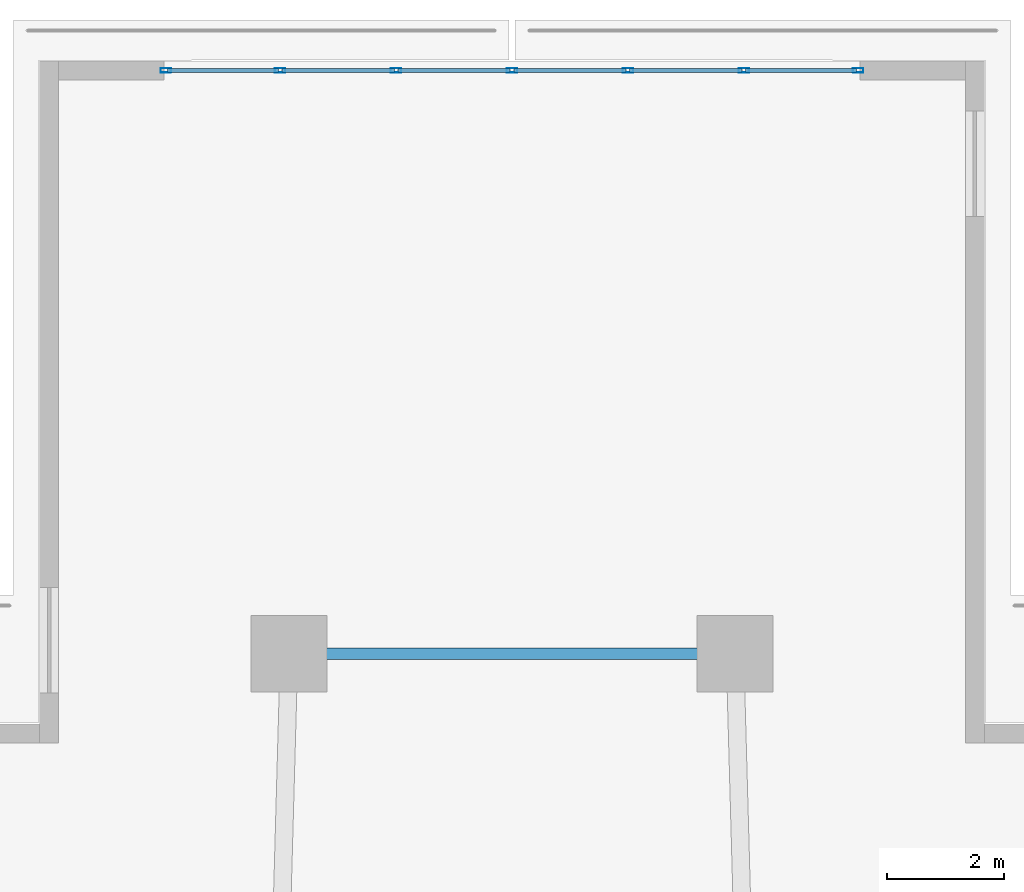
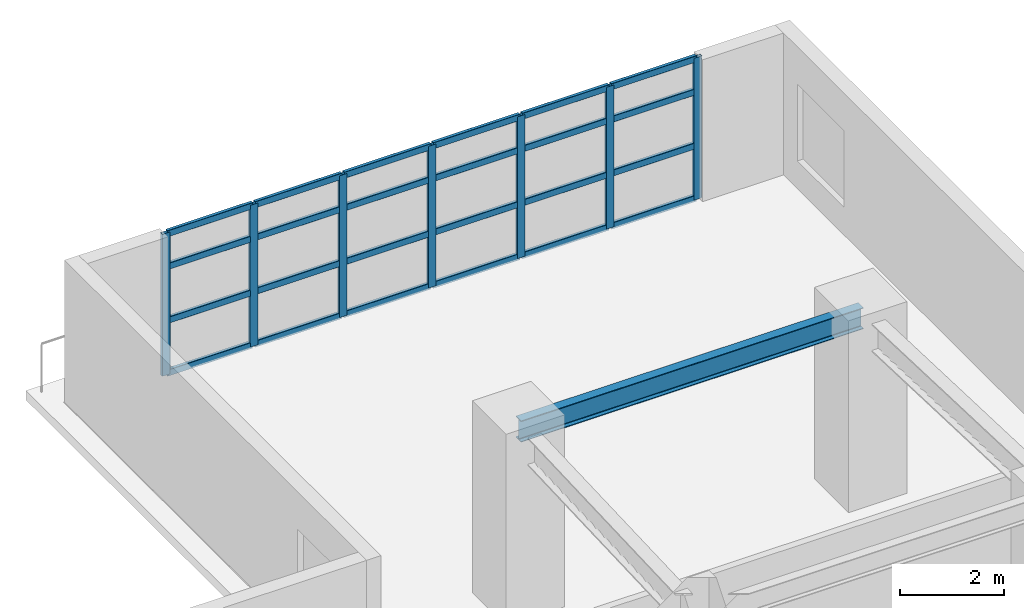
# One storey, part 12 of 24: 31 members, 1 beam, 1 element without a shape of its own.
"""IFC4 building model written with IfcOpenShell, lengths in metres."""

from ifc_helpers import new_model, si_unit, direction, frame, origin, origin_2d, place, context, subcontext, project, spatial, hollow_rectangle, i_section, extrude, material, layer, layer_set, material_profile, profile_set, type_object, element, aggregate, save


model = new_model("IFC4")

# Units and contexts
model_context = context("Model", 3, precision=1e-05, world=origin(), true_north=direction((0.0, 1.0)))
body_context = subcontext(model_context, "Body", "Model", "MODEL_VIEW")
ifc_project = project(units=[si_unit("LENGTHUNIT", "METRE"), si_unit("AREAUNIT", "SQUARE_METRE"), si_unit("VOLUMEUNIT", "CUBIC_METRE"), si_unit("PLANEANGLEUNIT", "RADIAN"), si_unit("MASSUNIT", "GRAM", prefix="KILO")], contexts=[model_context])

# Site, building, storey
site_placement = place(None, origin())
site = spatial("IfcSite", under=ifc_project, at=site_placement, CompositionType="ELEMENT")
building_placement = place(site_placement, origin())
building = spatial("IfcBuilding", under=site, at=building_placement, Name="Qingluan Cross Belvedere", CompositionType="ELEMENT")
storey_placement = place(building_placement, frame((0.0, 0.0, 14.699951171875)))
storey = spatial("IfcBuildingStorey", under=building, at=storey_placement, Name="L04", CompositionType="ELEMENT", Elevation=14.699951171875)

# Curtain wall, members
ifc_material_1 = material(Name="Thermally broken aluminium and Low-E glass", Category="aluminium")
ifc_layer = layer(ifc_material_1, 0.219970703125, Name="UnitisedCW_BallroomFoyer")
ifc_layer_set = layer_set([ifc_layer], Name="Thermally broken aluminium and Low-E glass")
curtain_wall_type = type_object("IfcCurtainWallType", Name="UnitisedCW_BallroomFoyer", PredefinedType="USERDEFINED", material=ifc_layer_set)
curtain_wall_placement = place(storey_placement, origin())
curtain_wall = element("IfcCurtainWall", 1, at=curtain_wall_placement, inside=storey, type_object=curtain_wall_type, Name="UnitisedCW_BallroomFoyer run env:cw:L04:N", ObjectType="UNITISED CURTAIN WALL", PredefinedType="USERDEFINED")
ifc_material_2 = material(Name="Aluminium alloy 6063-T6", Category="aluminium")
ifc_material_profile_1 = material_profile(ifc_material_2, hollow_rectangle(XDim=0.074951171875, YDim=0.179931640625, WallThickness=0.00390625, InnerFilletRadius=0.00390625, OuterFilletRadius=0.008056640625, at=origin_2d()), Name="CWM180x75x4")
ifc_profile_set_1 = profile_set([ifc_material_profile_1], Name="Aluminium alloy 6063-T6")
member_type_1 = type_object("IfcMemberType", Name="CWMullion_180", PredefinedType="MULLION", material=ifc_profile_set_1)
member_1_placement = place(storey_placement, frame((-5.89990234375, 36.93994140625, 0.0), z_axis=(0.0, 0.0, 1.0), x_axis=(0.0, 1.0, 0.0)))
member_1 = element("IfcMember", 2, at=member_1_placement, type_object=member_type_1, Name="CW-P2 mullion 1", PredefinedType="MULLION", context=body_context, shape_type="SweptSolid", body=[
    extrude(hollow_rectangle(XDim=0.074951171875, YDim=0.179931640625, WallThickness=0.00390625, InnerFilletRadius=0.00390625, OuterFilletRadius=0.008056640625, at=origin_2d()), origin(), (0.0, 0.0, 1.0), 3.330078125),
])
member_2_placement = place(storey_placement, frame((-3.953369140625, 36.93994140625, 0.0), z_axis=(0.0, 0.0, 1.0), x_axis=(0.0, 1.0, 0.0)))
member_2 = element("IfcMember", 3, at=member_2_placement, type_object=member_type_1, Name="CW-P2 mullion 2", PredefinedType="MULLION", context=body_context, shape_type="SweptSolid", body=[
    extrude(hollow_rectangle(XDim=0.074951171875, YDim=0.179931640625, WallThickness=0.00390625, InnerFilletRadius=0.00390625, OuterFilletRadius=0.008056640625, at=origin_2d()), origin(), (0.0, 0.0, 1.0), 3.330078125),
])
member_3_placement = place(storey_placement, frame((-1.9765625, 36.93994140625, 0.0), z_axis=(0.0, 0.0, 1.0), x_axis=(0.0, 1.0, 0.0)))
member_3 = element("IfcMember", 4, at=member_3_placement, type_object=member_type_1, Name="CW-P2 mullion 3", PredefinedType="MULLION", context=body_context, shape_type="SweptSolid", body=[
    extrude(hollow_rectangle(XDim=0.074951171875, YDim=0.179931640625, WallThickness=0.00390625, InnerFilletRadius=0.00390625, OuterFilletRadius=0.008056640625, at=origin_2d()), origin(), (0.0, 0.0, 1.0), 3.330078125),
])
member_4_placement = place(storey_placement, frame((0.0, 36.93994140625, 0.0), z_axis=(0.0, 0.0, 1.0), x_axis=(0.0, 1.0, 0.0)))
member_4 = element("IfcMember", 5, at=member_4_placement, type_object=member_type_1, Name="CW-P2 mullion 4", PredefinedType="MULLION", context=body_context, shape_type="SweptSolid", body=[
    extrude(hollow_rectangle(XDim=0.074951171875, YDim=0.179931640625, WallThickness=0.00390625, InnerFilletRadius=0.00390625, OuterFilletRadius=0.008056640625, at=origin_2d()), origin(), (0.0, 0.0, 1.0), 3.330078125),
])
member_5_placement = place(storey_placement, frame((1.9765625, 36.93994140625, 0.0), z_axis=(0.0, 0.0, 1.0), x_axis=(0.0, 1.0, 0.0)))
member_5 = element("IfcMember", 6, at=member_5_placement, type_object=member_type_1, Name="CW-P2 mullion 5", PredefinedType="MULLION", context=body_context, shape_type="SweptSolid", body=[
    extrude(hollow_rectangle(XDim=0.074951171875, YDim=0.179931640625, WallThickness=0.00390625, InnerFilletRadius=0.00390625, OuterFilletRadius=0.008056640625, at=origin_2d()), origin(), (0.0, 0.0, 1.0), 3.330078125),
])
member_6_placement = place(storey_placement, frame((3.953369140625, 36.93994140625, 0.0), z_axis=(0.0, 0.0, 1.0), x_axis=(0.0, 1.0, 0.0)))
member_6 = element("IfcMember", 7, at=member_6_placement, type_object=member_type_1, Name="CW-P2 mullion 6", PredefinedType="MULLION", context=body_context, shape_type="SweptSolid", body=[
    extrude(hollow_rectangle(XDim=0.074951171875, YDim=0.179931640625, WallThickness=0.00390625, InnerFilletRadius=0.00390625, OuterFilletRadius=0.008056640625, at=origin_2d()), origin(), (0.0, 0.0, 1.0), 3.330078125),
])
member_7_placement = place(storey_placement, frame((5.89990234375, 36.93994140625, 0.0), z_axis=(0.0, 0.0, 1.0), x_axis=(0.0, 1.0, 0.0)))
member_7 = element("IfcMember", 8, at=member_7_placement, type_object=member_type_1, Name="CW-P2 mullion 7", PredefinedType="MULLION", context=body_context, shape_type="SweptSolid", body=[
    extrude(hollow_rectangle(XDim=0.074951171875, YDim=0.179931640625, WallThickness=0.00390625, InnerFilletRadius=0.00390625, OuterFilletRadius=0.008056640625, at=origin_2d()), origin(), (0.0, 0.0, 1.0), 3.330078125),
])
ifc_material_3 = material(Name="Aluminium alloy 6063-T6", Category="aluminium")
ifc_material_profile_2 = material_profile(ifc_material_3, hollow_rectangle(XDim=0.074951171875, YDim=0.14990234375, WallThickness=0.00390625, InnerFilletRadius=0.00390625, OuterFilletRadius=0.008056640625, at=origin_2d()), Name="CWT150x75x4")
ifc_profile_set_2 = profile_set([ifc_material_profile_2], Name="Aluminium alloy 6063-T6")
member_type_2 = type_object("IfcMemberType", Name="CWTransom_150", PredefinedType="USERDEFINED", material=ifc_profile_set_2)
member_8_placement = place(storey_placement, frame((-5.8701171875, 36.93994140625, 0.030029296875), z_axis=(1.0, 0.0, 0.0), x_axis=(0.0, 1.0, 0.0)))
member_8 = element("IfcMember", 9, at=member_8_placement, type_object=member_type_2, Name="CW-P2 transom 1.1", ObjectType="TRANSOM", PredefinedType="USERDEFINED", context=body_context, shape_type="SweptSolid", body=[
    extrude(hollow_rectangle(XDim=0.074951171875, YDim=0.14990234375, WallThickness=0.00390625, InnerFilletRadius=0.00390625, OuterFilletRadius=0.008056640625, at=origin_2d()), origin(), (0.0, 0.0, 1.0), 1.88671875),
])
member_9_placement = place(storey_placement, frame((-5.8701171875, 36.93994140625, 1.26513671875), z_axis=(1.0, 0.0, 0.0), x_axis=(0.0, 1.0, 0.0)))
member_9 = element("IfcMember", 10, at=member_9_placement, type_object=member_type_2, Name="CW-P2 transom 1.2", ObjectType="TRANSOM", PredefinedType="USERDEFINED", context=body_context, shape_type="SweptSolid", body=[
    extrude(hollow_rectangle(XDim=0.074951171875, YDim=0.14990234375, WallThickness=0.00390625, InnerFilletRadius=0.00390625, OuterFilletRadius=0.008056640625, at=origin_2d()), origin(), (0.0, 0.0, 1.0), 1.88671875),
])
member_10_placement = place(storey_placement, frame((-5.8701171875, 36.93994140625, 2.531005859375), z_axis=(1.0, 0.0, 0.0), x_axis=(0.0, 1.0, 0.0)))
member_10 = element("IfcMember", 11, at=member_10_placement, type_object=member_type_2, Name="CW-P2 transom 1.3", ObjectType="TRANSOM", PredefinedType="USERDEFINED", context=body_context, shape_type="SweptSolid", body=[
    extrude(hollow_rectangle(XDim=0.074951171875, YDim=0.14990234375, WallThickness=0.00390625, InnerFilletRadius=0.00390625, OuterFilletRadius=0.008056640625, at=origin_2d()), origin(), (0.0, 0.0, 1.0), 1.88671875),
])
member_11_placement = place(storey_placement, frame((-5.8701171875, 36.93994140625, 3.300048828125), z_axis=(1.0, 0.0, 0.0), x_axis=(0.0, 1.0, 0.0)))
member_11 = element("IfcMember", 12, at=member_11_placement, type_object=member_type_2, Name="CW-P2 transom 1.4", ObjectType="TRANSOM", PredefinedType="USERDEFINED", context=body_context, shape_type="SweptSolid", body=[
    extrude(hollow_rectangle(XDim=0.074951171875, YDim=0.14990234375, WallThickness=0.00390625, InnerFilletRadius=0.00390625, OuterFilletRadius=0.008056640625, at=origin_2d()), origin(), (0.0, 0.0, 1.0), 1.88671875),
])
member_12_placement = place(storey_placement, frame((-3.92333984375, 36.93994140625, 0.030029296875), z_axis=(1.0, 0.0, 0.0), x_axis=(0.0, 1.0, 0.0)))
member_12 = element("IfcMember", 13, at=member_12_placement, type_object=member_type_2, Name="CW-P2 transom 2.1", ObjectType="TRANSOM", PredefinedType="USERDEFINED", context=body_context, shape_type="SweptSolid", body=[
    extrude(hollow_rectangle(XDim=0.074951171875, YDim=0.14990234375, WallThickness=0.00390625, InnerFilletRadius=0.00390625, OuterFilletRadius=0.008056640625, at=origin_2d()), origin(), (0.0, 0.0, 1.0), 1.916748046875),
])
member_13_placement = place(storey_placement, frame((-3.92333984375, 36.93994140625, 1.26513671875), z_axis=(1.0, 0.0, 0.0), x_axis=(0.0, 1.0, 0.0)))
member_13 = element("IfcMember", 14, at=member_13_placement, type_object=member_type_2, Name="CW-P2 transom 2.2", ObjectType="TRANSOM", PredefinedType="USERDEFINED", context=body_context, shape_type="SweptSolid", body=[
    extrude(hollow_rectangle(XDim=0.074951171875, YDim=0.14990234375, WallThickness=0.00390625, InnerFilletRadius=0.00390625, OuterFilletRadius=0.008056640625, at=origin_2d()), origin(), (0.0, 0.0, 1.0), 1.916748046875),
])
member_14_placement = place(storey_placement, frame((-3.92333984375, 36.93994140625, 2.531005859375), z_axis=(1.0, 0.0, 0.0), x_axis=(0.0, 1.0, 0.0)))
member_14 = element("IfcMember", 15, at=member_14_placement, type_object=member_type_2, Name="CW-P2 transom 2.3", ObjectType="TRANSOM", PredefinedType="USERDEFINED", context=body_context, shape_type="SweptSolid", body=[
    extrude(hollow_rectangle(XDim=0.074951171875, YDim=0.14990234375, WallThickness=0.00390625, InnerFilletRadius=0.00390625, OuterFilletRadius=0.008056640625, at=origin_2d()), origin(), (0.0, 0.0, 1.0), 1.916748046875),
])
member_15_placement = place(storey_placement, frame((-3.92333984375, 36.93994140625, 3.300048828125), z_axis=(1.0, 0.0, 0.0), x_axis=(0.0, 1.0, 0.0)))
member_15 = element("IfcMember", 16, at=member_15_placement, type_object=member_type_2, Name="CW-P2 transom 2.4", ObjectType="TRANSOM", PredefinedType="USERDEFINED", context=body_context, shape_type="SweptSolid", body=[
    extrude(hollow_rectangle(XDim=0.074951171875, YDim=0.14990234375, WallThickness=0.00390625, InnerFilletRadius=0.00390625, OuterFilletRadius=0.008056640625, at=origin_2d()), origin(), (0.0, 0.0, 1.0), 1.916748046875),
])
member_16_placement = place(storey_placement, frame((-1.94677734375, 36.93994140625, 0.030029296875), z_axis=(1.0, 0.0, 0.0), x_axis=(0.0, 1.0, 0.0)))
member_16 = element("IfcMember", 17, at=member_16_placement, type_object=member_type_2, Name="CW-P2 transom 3.1", ObjectType="TRANSOM", PredefinedType="USERDEFINED", context=body_context, shape_type="SweptSolid", body=[
    extrude(hollow_rectangle(XDim=0.074951171875, YDim=0.14990234375, WallThickness=0.00390625, InnerFilletRadius=0.00390625, OuterFilletRadius=0.008056640625, at=origin_2d()), origin(), (0.0, 0.0, 1.0), 1.916748046875),
])
member_17_placement = place(storey_placement, frame((-1.94677734375, 36.93994140625, 1.26513671875), z_axis=(1.0, 0.0, 0.0), x_axis=(0.0, 1.0, 0.0)))
member_17 = element("IfcMember", 18, at=member_17_placement, type_object=member_type_2, Name="CW-P2 transom 3.2", ObjectType="TRANSOM", PredefinedType="USERDEFINED", context=body_context, shape_type="SweptSolid", body=[
    extrude(hollow_rectangle(XDim=0.074951171875, YDim=0.14990234375, WallThickness=0.00390625, InnerFilletRadius=0.00390625, OuterFilletRadius=0.008056640625, at=origin_2d()), origin(), (0.0, 0.0, 1.0), 1.916748046875),
])
member_18_placement = place(storey_placement, frame((-1.94677734375, 36.93994140625, 2.531005859375), z_axis=(1.0, 0.0, 0.0), x_axis=(0.0, 1.0, 0.0)))
member_18 = element("IfcMember", 19, at=member_18_placement, type_object=member_type_2, Name="CW-P2 transom 3.3", ObjectType="TRANSOM", PredefinedType="USERDEFINED", context=body_context, shape_type="SweptSolid", body=[
    extrude(hollow_rectangle(XDim=0.074951171875, YDim=0.14990234375, WallThickness=0.00390625, InnerFilletRadius=0.00390625, OuterFilletRadius=0.008056640625, at=origin_2d()), origin(), (0.0, 0.0, 1.0), 1.916748046875),
])
member_19_placement = place(storey_placement, frame((-1.94677734375, 36.93994140625, 3.300048828125), z_axis=(1.0, 0.0, 0.0), x_axis=(0.0, 1.0, 0.0)))
member_19 = element("IfcMember", 20, at=member_19_placement, type_object=member_type_2, Name="CW-P2 transom 3.4", ObjectType="TRANSOM", PredefinedType="USERDEFINED", context=body_context, shape_type="SweptSolid", body=[
    extrude(hollow_rectangle(XDim=0.074951171875, YDim=0.14990234375, WallThickness=0.00390625, InnerFilletRadius=0.00390625, OuterFilletRadius=0.008056640625, at=origin_2d()), origin(), (0.0, 0.0, 1.0), 1.916748046875),
])
member_20_placement = place(storey_placement, frame((0.030029296875, 36.93994140625, 0.030029296875), z_axis=(1.0, 0.0, 0.0), x_axis=(0.0, 1.0, 0.0)))
member_20 = element("IfcMember", 21, at=member_20_placement, type_object=member_type_2, Name="CW-P2 transom 4.1", ObjectType="TRANSOM", PredefinedType="USERDEFINED", context=body_context, shape_type="SweptSolid", body=[
    extrude(hollow_rectangle(XDim=0.074951171875, YDim=0.14990234375, WallThickness=0.00390625, InnerFilletRadius=0.00390625, OuterFilletRadius=0.008056640625, at=origin_2d()), origin(), (0.0, 0.0, 1.0), 1.916748046875),
])
member_21_placement = place(storey_placement, frame((0.030029296875, 36.93994140625, 1.26513671875), z_axis=(1.0, 0.0, 0.0), x_axis=(0.0, 1.0, 0.0)))
member_21 = element("IfcMember", 22, at=member_21_placement, type_object=member_type_2, Name="CW-P2 transom 4.2", ObjectType="TRANSOM", PredefinedType="USERDEFINED", context=body_context, shape_type="SweptSolid", body=[
    extrude(hollow_rectangle(XDim=0.074951171875, YDim=0.14990234375, WallThickness=0.00390625, InnerFilletRadius=0.00390625, OuterFilletRadius=0.008056640625, at=origin_2d()), origin(), (0.0, 0.0, 1.0), 1.916748046875),
])
member_22_placement = place(storey_placement, frame((0.030029296875, 36.93994140625, 2.531005859375), z_axis=(1.0, 0.0, 0.0), x_axis=(0.0, 1.0, 0.0)))
member_22 = element("IfcMember", 23, at=member_22_placement, type_object=member_type_2, Name="CW-P2 transom 4.3", ObjectType="TRANSOM", PredefinedType="USERDEFINED", context=body_context, shape_type="SweptSolid", body=[
    extrude(hollow_rectangle(XDim=0.074951171875, YDim=0.14990234375, WallThickness=0.00390625, InnerFilletRadius=0.00390625, OuterFilletRadius=0.008056640625, at=origin_2d()), origin(), (0.0, 0.0, 1.0), 1.916748046875),
])
member_23_placement = place(storey_placement, frame((0.030029296875, 36.93994140625, 3.300048828125), z_axis=(1.0, 0.0, 0.0), x_axis=(0.0, 1.0, 0.0)))
member_23 = element("IfcMember", 24, at=member_23_placement, type_object=member_type_2, Name="CW-P2 transom 4.4", ObjectType="TRANSOM", PredefinedType="USERDEFINED", context=body_context, shape_type="SweptSolid", body=[
    extrude(hollow_rectangle(XDim=0.074951171875, YDim=0.14990234375, WallThickness=0.00390625, InnerFilletRadius=0.00390625, OuterFilletRadius=0.008056640625, at=origin_2d()), origin(), (0.0, 0.0, 1.0), 1.916748046875),
])
member_24_placement = place(storey_placement, frame((2.006591796875, 36.93994140625, 0.030029296875), z_axis=(1.0, 0.0, 0.0), x_axis=(0.0, 1.0, 0.0)))
member_24 = element("IfcMember", 25, at=member_24_placement, type_object=member_type_2, Name="CW-P2 transom 5.1", ObjectType="TRANSOM", PredefinedType="USERDEFINED", context=body_context, shape_type="SweptSolid", body=[
    extrude(hollow_rectangle(XDim=0.074951171875, YDim=0.14990234375, WallThickness=0.00390625, InnerFilletRadius=0.00390625, OuterFilletRadius=0.008056640625, at=origin_2d()), origin(), (0.0, 0.0, 1.0), 1.916748046875),
])
member_25_placement = place(storey_placement, frame((2.006591796875, 36.93994140625, 1.26513671875), z_axis=(1.0, 0.0, 0.0), x_axis=(0.0, 1.0, 0.0)))
member_25 = element("IfcMember", 26, at=member_25_placement, type_object=member_type_2, Name="CW-P2 transom 5.2", ObjectType="TRANSOM", PredefinedType="USERDEFINED", context=body_context, shape_type="SweptSolid", body=[
    extrude(hollow_rectangle(XDim=0.074951171875, YDim=0.14990234375, WallThickness=0.00390625, InnerFilletRadius=0.00390625, OuterFilletRadius=0.008056640625, at=origin_2d()), origin(), (0.0, 0.0, 1.0), 1.916748046875),
])
member_26_placement = place(storey_placement, frame((2.006591796875, 36.93994140625, 2.531005859375), z_axis=(1.0, 0.0, 0.0), x_axis=(0.0, 1.0, 0.0)))
member_26 = element("IfcMember", 27, at=member_26_placement, type_object=member_type_2, Name="CW-P2 transom 5.3", ObjectType="TRANSOM", PredefinedType="USERDEFINED", context=body_context, shape_type="SweptSolid", body=[
    extrude(hollow_rectangle(XDim=0.074951171875, YDim=0.14990234375, WallThickness=0.00390625, InnerFilletRadius=0.00390625, OuterFilletRadius=0.008056640625, at=origin_2d()), origin(), (0.0, 0.0, 1.0), 1.916748046875),
])
member_27_placement = place(storey_placement, frame((2.006591796875, 36.93994140625, 3.300048828125), z_axis=(1.0, 0.0, 0.0), x_axis=(0.0, 1.0, 0.0)))
member_27 = element("IfcMember", 28, at=member_27_placement, type_object=member_type_2, Name="CW-P2 transom 5.4", ObjectType="TRANSOM", PredefinedType="USERDEFINED", context=body_context, shape_type="SweptSolid", body=[
    extrude(hollow_rectangle(XDim=0.074951171875, YDim=0.14990234375, WallThickness=0.00390625, InnerFilletRadius=0.00390625, OuterFilletRadius=0.008056640625, at=origin_2d()), origin(), (0.0, 0.0, 1.0), 1.916748046875),
])
member_28_placement = place(storey_placement, frame((3.9833984375, 36.93994140625, 0.030029296875), z_axis=(1.0, 0.0, 0.0), x_axis=(0.0, 1.0, 0.0)))
member_28 = element("IfcMember", 29, at=member_28_placement, type_object=member_type_2, Name="CW-P2 transom 6.1", ObjectType="TRANSOM", PredefinedType="USERDEFINED", context=body_context, shape_type="SweptSolid", body=[
    extrude(hollow_rectangle(XDim=0.074951171875, YDim=0.14990234375, WallThickness=0.00390625, InnerFilletRadius=0.00390625, OuterFilletRadius=0.008056640625, at=origin_2d()), origin(), (0.0, 0.0, 1.0), 1.88671875),
])
member_29_placement = place(storey_placement, frame((3.9833984375, 36.93994140625, 1.26513671875), z_axis=(1.0, 0.0, 0.0), x_axis=(0.0, 1.0, 0.0)))
member_29 = element("IfcMember", 30, at=member_29_placement, type_object=member_type_2, Name="CW-P2 transom 6.2", ObjectType="TRANSOM", PredefinedType="USERDEFINED", context=body_context, shape_type="SweptSolid", body=[
    extrude(hollow_rectangle(XDim=0.074951171875, YDim=0.14990234375, WallThickness=0.00390625, InnerFilletRadius=0.00390625, OuterFilletRadius=0.008056640625, at=origin_2d()), origin(), (0.0, 0.0, 1.0), 1.88671875),
])
member_30_placement = place(storey_placement, frame((3.9833984375, 36.93994140625, 2.531005859375), z_axis=(1.0, 0.0, 0.0), x_axis=(0.0, 1.0, 0.0)))
member_30 = element("IfcMember", 31, at=member_30_placement, type_object=member_type_2, Name="CW-P2 transom 6.3", ObjectType="TRANSOM", PredefinedType="USERDEFINED", context=body_context, shape_type="SweptSolid", body=[
    extrude(hollow_rectangle(XDim=0.074951171875, YDim=0.14990234375, WallThickness=0.00390625, InnerFilletRadius=0.00390625, OuterFilletRadius=0.008056640625, at=origin_2d()), origin(), (0.0, 0.0, 1.0), 1.88671875),
])
member_31_placement = place(storey_placement, frame((3.9833984375, 36.93994140625, 3.300048828125), z_axis=(1.0, 0.0, 0.0), x_axis=(0.0, 1.0, 0.0)))
member_31 = element("IfcMember", 32, at=member_31_placement, type_object=member_type_2, Name="CW-P2 transom 6.4", ObjectType="TRANSOM", PredefinedType="USERDEFINED", context=body_context, shape_type="SweptSolid", body=[
    extrude(hollow_rectangle(XDim=0.074951171875, YDim=0.14990234375, WallThickness=0.00390625, InnerFilletRadius=0.00390625, OuterFilletRadius=0.008056640625, at=origin_2d()), origin(), (0.0, 0.0, 1.0), 1.88671875),
])
aggregate(curtain_wall, [member_1, member_2, member_3, member_4, member_5, member_6, member_7, member_8, member_9, member_10, member_11, member_12, member_13, member_14, member_15, member_16, member_17, member_18, member_19, member_20, member_21, member_22, member_23, member_24, member_25, member_26, member_27, member_28, member_29, member_30, member_31])

# Beam
ifc_material_4 = material(Name="Steel Q420GJB", Category="steel")
ifc_material_profile_3 = material_profile(ifc_material_4, i_section(OverallWidth=0.199951171875, OverallDepth=0.5, WebThickness=0.010009765625, FlangeThickness=0.01611328125, FilletRadius=0.01611328125, at=origin_2d()), Name="HN500x200x10x16")
ifc_profile_set_3 = profile_set([ifc_material_profile_3], Name="Steel Q420GJB")
beam_type = type_object("IfcBeamType", Name="Steel_Beam_HN500x200x10x16", PredefinedType="JOIST", material=ifc_profile_set_3)
beam_placement = place(storey_placement, frame((-3.800048828125, 27.0, 4.0), z_axis=(1.0, 0.0, 0.0), x_axis=(0.0, 1.0, 0.0)))
element("IfcBeam", 33, at=beam_placement, inside=storey, type_object=beam_type, Name="Arm N tip transverse beam L04", PredefinedType="JOIST", context=body_context, shape_type="SweptSolid", body=[
    extrude(i_section(OverallWidth=0.199951171875, OverallDepth=0.5, WebThickness=0.010009765625, FlangeThickness=0.01611328125, FilletRadius=0.01611328125, at=origin_2d()), origin(), (0.0, 0.0, 1.0), 7.60009765625),
])

save(model, "model.ifc")
